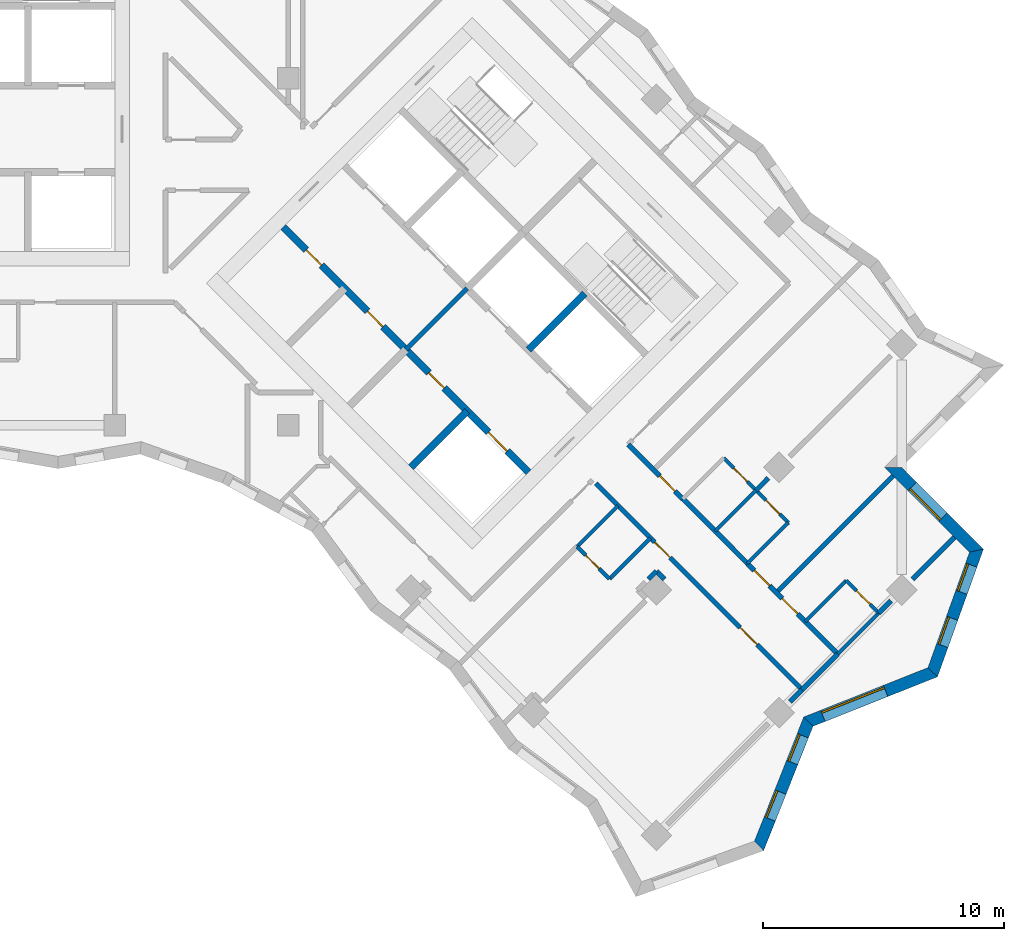
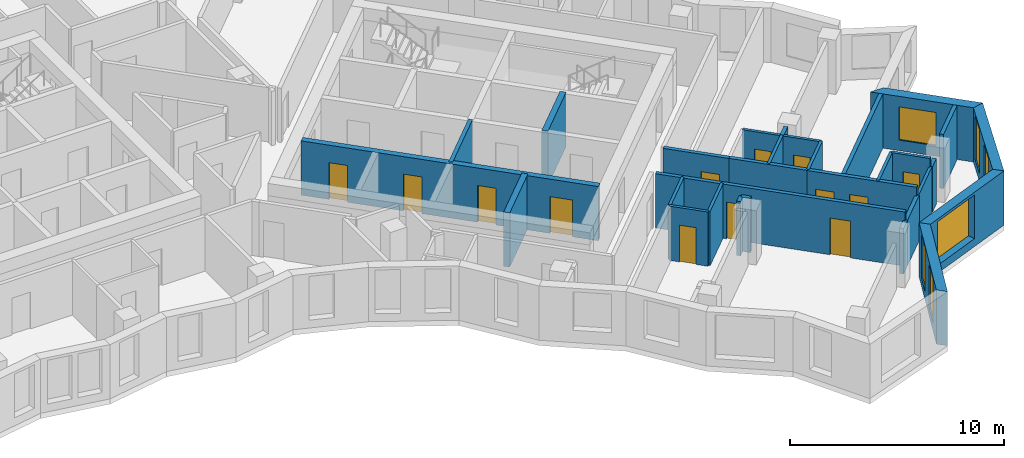
# One storey, part 8 of 12: 29 walls, 13 doors, 6 windows, 19 openings.
"""IFC4 building model written with IfcOpenShell, lengths in metres."""

from ifc_helpers import new_model, si_unit, direction, frame, frame_2d, origin, place, context, subcontext, project, spatial, polyline, rectangle, outline, extrude, material, layer, layer_set, type_object, element, fill, save


model = new_model("IFC4")

# Units and contexts
model_context = context("Model", 3, precision=1e-05, world=origin(), true_north=direction((0.0, 1.0)))
body_context = subcontext(model_context, "Body", "Model", "MODEL_VIEW")
ifc_project = project(units=[si_unit("LENGTHUNIT", "METRE"), si_unit("AREAUNIT", "SQUARE_METRE"), si_unit("VOLUMEUNIT", "CUBIC_METRE"), si_unit("PLANEANGLEUNIT", "RADIAN"), si_unit("MASSUNIT", "GRAM", prefix="KILO")], contexts=[model_context])

# Site, building, storey
site_placement = place(None, origin())
site = spatial("IfcSite", under=ifc_project, at=site_placement, CompositionType="ELEMENT")
building_placement = place(site_placement, origin())
building = spatial("IfcBuilding", under=site, at=building_placement, Name="Windrow Commons", CompositionType="ELEMENT")
storey_placement = place(building_placement, frame((0.0, 0.0, 169.4)))
storey = spatial("IfcBuildingStorey", under=building, at=storey_placement, Name="L46", CompositionType="ELEMENT", Elevation=169.4)

# Wall, openings, windows
ifc_material_1 = material(Name="Brick masonry, red clay brick", Category="masonry")
ifc_layer_1 = layer(ifc_material_1, 0.5)
ifc_layer_set_1 = layer_set([ifc_layer_1], Name="Brick facade wall 500")
wall_type_1 = type_object("IfcWallType", Name="Brick facade wall 500", PredefinedType="SOLIDWALL", material=ifc_layer_set_1)
wall_1_placement = place(storey_placement, frame((98.736, 25.7385, 0.0), z_axis=(0.0, 0.0, 1.0), x_axis=(0.3692368727, 0.9293353172, 0.0)))
wall_1 = element("IfcWall", 1, at=wall_1_placement, inside=storey, type_object=wall_type_1, Name="Brick facade wall L46 2", PredefinedType="SOLIDWALL", context=body_context, shape_type="SweptSolid", body=[
    extrude(outline(polyline([(-0.1127, -0.25), (5.4423, -0.25), (5.6579, 0.25), (0.1127, 0.25), (-0.1127, -0.25)])), origin(), (0.0, 0.0, 1.0), 3.1),
])
opening_1_placement = place(wall_1_placement, frame((1.2035, 0.0, 0.45)))
opening_1 = element("IfcOpeningElement", 2, at=opening_1_placement, cuts=wall_1, Name="Opening W7E", PredefinedType="OPENING", context=body_context, shape_type="SweptSolid", body=[
    extrude(rectangle(XDim=1.2, YDim=2.5, at=frame_2d((0.6, 1.25))), frame((0.0, 0.26, 0.0), z_axis=(0.0, -1.0, 0.0), x_axis=(1.0, 0.0, 0.0)), (0.0, 0.0, 1.0), 0.52),
])
opening_2_placement = place(wall_1_placement, frame((3.7222, 0.0, 0.45)))
opening_2 = element("IfcOpeningElement", 3, at=opening_2_placement, cuts=wall_1, Name="Opening W7E", PredefinedType="OPENING", context=body_context, shape_type="SweptSolid", body=[
    extrude(rectangle(XDim=1.2, YDim=2.5, at=frame_2d((0.6, 1.25))), frame((0.0, 0.26, 0.0), z_axis=(0.0, -1.0, 0.0), x_axis=(1.0, 0.0, 0.0)), (0.0, 0.0, 1.0), 0.52),
])
ifc_material_2 = material(Name="Clear float glass in anodised aluminium frame", Category="aluminium")
window_type_1 = type_object("IfcWindowType", Name="Window W7 notch 1200x2500", PartitioningType="SINGLE_PANEL", PredefinedType="WINDOW", material=ifc_material_2)
window_1_placement = place(opening_1_placement, origin())
window_1 = element("IfcWindow", 4, at=window_1_placement, inside=storey, type_object=window_type_1, Name="Window L46 2.1", OverallHeight=2.5, OverallWidth=1.2, PartitioningType="SINGLE_PANEL", PredefinedType="WINDOW", context=body_context, shape_type="SweptSolid", body=[
    extrude(rectangle(XDim=1.2, YDim=2.5, at=frame_2d((0.6, 1.25))), frame((0.0, 0.18, 0.0), z_axis=(0.0, -1.0, 0.0), x_axis=(1.0, 0.0, 0.0)), (0.0, 0.0, 1.0), 0.06),
])
fill(opening_1, window_1)
window_2_placement = place(opening_2_placement, origin())
window_2 = element("IfcWindow", 5, at=window_2_placement, inside=storey, type_object=window_type_1, Name="Window L46 2.2", OverallHeight=2.5, OverallWidth=1.2, PartitioningType="SINGLE_PANEL", PredefinedType="WINDOW", context=body_context, shape_type="SweptSolid", body=[
    extrude(rectangle(XDim=1.2, YDim=2.5, at=frame_2d((0.6, 1.25))), frame((0.0, 0.18, 0.0), z_axis=(0.0, -1.0, 0.0), x_axis=(1.0, 0.0, 0.0)), (0.0, 0.0, 1.0), 0.06),
])
fill(opening_2, window_2)

# Wall, opening, window
wall_2_placement = place(storey_placement, frame((100.7853, 30.8964, 0.0), z_axis=(0.0, 0.0, 1.0), x_axis=(0.9293291345, 0.3692524338, 0.0)))
wall_2 = element("IfcWall", 6, at=wall_2_placement, inside=storey, type_object=wall_type_1, Name="Brick facade wall L46 3", PredefinedType="SOLIDWALL", context=body_context, shape_type="SweptSolid", body=[
    extrude(outline(polyline([(0.1078, -0.25), (5.6628, -0.25), (5.4374, 0.25), (-0.1078, 0.25), (0.1078, -0.25)])), origin(), (0.0, 0.0, 1.0), 3.1),
])
opening_3_placement = place(wall_2_placement, frame((0.6448, 0.0, 0.45)))
opening_3 = element("IfcOpeningElement", 7, at=opening_3_placement, cuts=wall_2, Name="Opening W1U", PredefinedType="OPENING", context=body_context, shape_type="SweptSolid", body=[
    extrude(rectangle(XDim=2.8, YDim=2.5, at=frame_2d((1.4, 1.25))), frame((0.0, 0.26, 0.0), z_axis=(0.0, -1.0, 0.0), x_axis=(1.0, 0.0, 0.0)), (0.0, 0.0, 1.0), 0.52),
])
ifc_material_3 = material(Name="Clear float glass in anodised aluminium frame", Category="aluminium")
window_type_2 = type_object("IfcWindowType", Name="Window W1U bedroom 2800x2500", PartitioningType="SINGLE_PANEL", PredefinedType="WINDOW", material=ifc_material_3)
window_3_placement = place(opening_3_placement, origin())
window_3 = element("IfcWindow", 8, at=window_3_placement, inside=storey, type_object=window_type_2, Name="Window L46 3.1", OverallHeight=2.5, OverallWidth=2.8, PartitioningType="SINGLE_PANEL", PredefinedType="WINDOW", context=body_context, shape_type="SweptSolid", body=[
    extrude(rectangle(XDim=2.8, YDim=2.5, at=frame_2d((1.4, 1.25))), frame((0.0, 0.18, 0.0), z_axis=(0.0, -1.0, 0.0), x_axis=(1.0, 0.0, 0.0)), (0.0, 0.0, 1.0), 0.06),
])
fill(opening_3, window_3)

# Wall, openings, windows
wall_3_placement = place(storey_placement, frame((105.9432, 32.9458, 0.0), z_axis=(0.0, 0.0, 1.0), x_axis=(0.3387755622, 0.9408672162, 0.0)))
wall_3 = element("IfcWall", 9, at=wall_3_placement, inside=storey, type_object=wall_type_1, Name="Brick facade wall L46 4", PredefinedType="SOLIDWALL", context=body_context, shape_type="SweptSolid", body=[
    extrude(outline(polyline([(-0.1127, -0.25), (5.5245, -0.25), (5.2072, 0.25), (0.1127, 0.25), (-0.1127, -0.25)])), origin(), (0.0, 0.0, 1.0), 3.1),
])
opening_4_placement = place(wall_3_placement, frame((1.1794, 0.0, 0.45)))
opening_4 = element("IfcOpeningElement", 10, at=opening_4_placement, cuts=wall_3, Name="Opening W7E", PredefinedType="OPENING", context=body_context, shape_type="SweptSolid", body=[
    extrude(rectangle(XDim=1.2, YDim=2.5, at=frame_2d((0.6, 1.25))), frame((0.0, 0.26, 0.0), z_axis=(0.0, -1.0, 0.0), x_axis=(1.0, 0.0, 0.0)), (0.0, 0.0, 1.0), 0.52),
])
opening_5_placement = place(wall_3_placement, frame((3.5267, 0.0, 0.45)))
opening_5 = element("IfcOpeningElement", 11, at=opening_5_placement, cuts=wall_3, Name="Opening W7E", PredefinedType="OPENING", context=body_context, shape_type="SweptSolid", body=[
    extrude(rectangle(XDim=1.2, YDim=2.5, at=frame_2d((0.6, 1.25))), frame((0.0, 0.26, 0.0), z_axis=(0.0, -1.0, 0.0), x_axis=(1.0, 0.0, 0.0)), (0.0, 0.0, 1.0), 0.52),
])
window_4_placement = place(opening_4_placement, origin())
window_4 = element("IfcWindow", 12, at=window_4_placement, inside=storey, type_object=window_type_1, Name="Window L46 4.1", OverallHeight=2.5, OverallWidth=1.2, PartitioningType="SINGLE_PANEL", PredefinedType="WINDOW", context=body_context, shape_type="SweptSolid", body=[
    extrude(rectangle(XDim=1.2, YDim=2.5, at=frame_2d((0.6, 1.25))), frame((0.0, 0.18, 0.0), z_axis=(0.0, -1.0, 0.0), x_axis=(1.0, 0.0, 0.0)), (0.0, 0.0, 1.0), 0.06),
])
fill(opening_4, window_4)
window_5_placement = place(opening_5_placement, origin())
window_5 = element("IfcWindow", 13, at=window_5_placement, inside=storey, type_object=window_type_1, Name="Window L46 4.2", OverallHeight=2.5, OverallWidth=1.2, PartitioningType="SINGLE_PANEL", PredefinedType="WINDOW", context=body_context, shape_type="SweptSolid", body=[
    extrude(rectangle(XDim=1.2, YDim=2.5, at=frame_2d((0.6, 1.25))), frame((0.0, 0.18, 0.0), z_axis=(0.0, -1.0, 0.0), x_axis=(1.0, 0.0, 0.0)), (0.0, 0.0, 1.0), 0.06),
])
fill(opening_5, window_5)

# Wall, opening, window
wall_4_placement = place(storey_placement, frame((107.761, 37.9943, 0.0), z_axis=(0.0, 0.0, 1.0), x_axis=(-0.7071170031, 0.7070965591, 0.0)))
wall_4 = element("IfcWall", 14, at=wall_4_placement, inside=storey, type_object=wall_type_1, Name="Brick facade wall L46 5", PredefinedType="SOLIDWALL", context=body_context, shape_type="SweptSolid", body=[
    extrude(outline(polyline([(-0.1587, -0.25), (4.6414, -0.25), (5.1414, 0.25), (0.1587, 0.25), (-0.1587, -0.25)])), origin(), (0.0, 0.0, 1.0), 3.1),
])
opening_6_placement = place(wall_4_placement, frame((1.9664, 0.0, 0.6)))
opening_6 = element("IfcOpeningElement", 15, at=opening_6_placement, cuts=wall_4, Name="Opening W1L", PredefinedType="OPENING", context=body_context, shape_type="SweptSolid", body=[
    extrude(rectangle(XDim=1.8, YDim=1.9, at=frame_2d((0.9, 0.95))), frame((0.0, 0.26, 0.0), z_axis=(0.0, -1.0, 0.0), x_axis=(1.0, 0.0, 0.0)), (0.0, 0.0, 1.0), 0.52),
])
ifc_material_4 = material(Name="Clear float glass in anodised aluminium frame", Category="aluminium")
window_type_3 = type_object("IfcWindowType", Name="Window W1L bedroom 1800x1900", PartitioningType="SINGLE_PANEL", PredefinedType="WINDOW", material=ifc_material_4)
window_6_placement = place(opening_6_placement, origin())
window_6 = element("IfcWindow", 16, at=window_6_placement, inside=storey, type_object=window_type_3, Name="Window L46 5.1", OverallHeight=1.9, OverallWidth=1.8, PartitioningType="SINGLE_PANEL", PredefinedType="WINDOW", context=body_context, shape_type="SweptSolid", body=[
    extrude(rectangle(XDim=1.8, YDim=1.9, at=frame_2d((0.9, 0.95))), frame((0.0, 0.18, 0.0), z_axis=(0.0, -1.0, 0.0), x_axis=(1.0, 0.0, 0.0)), (0.0, 0.0, 1.0), 0.06),
])
fill(opening_6, window_6)

# Wall
ifc_material_5 = material(Name="Blockwork partition", Category="masonry")
ifc_layer_2 = layer(ifc_material_5, 0.2)
ifc_layer_set_2 = layer_set([ifc_layer_2], Name="Fire lobby partition 200")
wall_type_2 = type_object("IfcWallType", Name="Fire lobby partition 200", PredefinedType="PARTITIONING", material=ifc_layer_set_2)
wall_5_placement = place(storey_placement, frame((84.079, 46.332, 0.0), z_axis=(0.0, 0.0, 1.0), x_axis=(0.7071067812, 0.7071067812, 0.0)))
element("IfcWall", 17, at=wall_5_placement, inside=storey, type_object=wall_type_2, Name="W-core-lobby-B-L46", PredefinedType="PARTITIONING", context=body_context, shape_type="SweptSolid", body=[
    extrude(rectangle(XDim=3.6, YDim=0.2, at=frame_2d((1.8, 0.0))), origin(), (0.0, 0.0, 1.0), 3.1),
])

# Wall, openings, doors
ifc_material_6 = material(Name="Blockwork partition", Category="masonry")
ifc_layer_3 = layer(ifc_material_6, 0.2)
ifc_layer_set_3 = layer_set([ifc_layer_3], Name="IW-CORRIDOR-200")
wall_type_3 = type_object("IfcWallType", Name="IW-CORRIDOR-200", PredefinedType="PARTITIONING", material=ifc_layer_set_3)
wall_6_placement = place(storey_placement, frame((91.9671, 40.7851, 0.0), z_axis=(0.0, 0.0, 1.0), x_axis=(0.7071067812, -0.7071067812, 0.0)))
wall_6 = element("IfcWall", 18, at=wall_6_placement, inside=storey, type_object=wall_type_3, Name="W-L46-W006", PredefinedType="PARTITIONING", context=body_context, shape_type="SweptSolid", body=[
    extrude(rectangle(XDim=12.1, YDim=0.2, at=frame_2d((6.05, 0.0))), origin(), (0.0, 0.0, 1.0), 3.1),
])
opening_7_placement = place(wall_6_placement, frame((3.4484, 0.0, 0.0)))
opening_7 = element("IfcOpeningElement", 19, at=opening_7_placement, cuts=wall_6, Name="Opening D109S", PredefinedType="OPENING", context=body_context, shape_type="SweptSolid", body=[
    extrude(rectangle(XDim=0.9, YDim=2.1, at=frame_2d((0.45, 1.05))), frame((0.0, 0.11, 0.0), z_axis=(0.0, -1.0, 0.0), x_axis=(1.0, 0.0, 0.0)), (0.0, 0.0, 1.0), 0.22),
])
opening_8_placement = place(wall_6_placement, frame((8.4575, 0.0, 0.0)))
opening_8 = element("IfcOpeningElement", 20, at=opening_8_placement, cuts=wall_6, Name="Opening D310F", PredefinedType="OPENING", context=body_context, shape_type="SweptSolid", body=[
    extrude(rectangle(XDim=1.0, YDim=2.1, at=frame_2d((0.5, 1.05))), frame((0.0, 0.11, 0.0), z_axis=(0.0, -1.0, 0.0), x_axis=(1.0, 0.0, 0.0)), (0.0, 0.0, 1.0), 0.22),
])
ifc_material_7 = material(Name="Timber door leaf", Category="wood")
door_type_1 = type_object("IfcDoorType", Name="DT-AMENITY-1000", OperationType="SINGLE_SWING_LEFT", PredefinedType="DOOR", material=ifc_material_7)
door_1_placement = place(opening_8_placement, origin())
door_1 = element("IfcDoor", 21, at=door_1_placement, inside=storey, type_object=door_type_1, Name="D-L46-D054", OperationType="SINGLE_SWING_RIGHT", OverallHeight=2.1, OverallWidth=1.0, PredefinedType="DOOR", context=body_context, shape_type="SweptSolid", body=[
    extrude(rectangle(XDim=1.0, YDim=2.1, at=frame_2d((0.5, 1.05))), frame((0.0, 0.025, 0.0), z_axis=(0.0, -1.0, 0.0), x_axis=(1.0, 0.0, 0.0)), (0.0, 0.0, 1.0), 0.05),
])
fill(opening_8, door_1)
ifc_material_8 = material(Name="Timber door leaf", Category="wood")
door_type_2 = type_object("IfcDoorType", Name="DT-BEDROOM-900", OperationType="SINGLE_SWING_LEFT", PredefinedType="DOOR", material=ifc_material_8)
door_2_placement = place(opening_7_placement, origin())
door_2 = element("IfcDoor", 22, at=door_2_placement, inside=storey, type_object=door_type_2, Name="D-L46-D052", OperationType="SINGLE_SWING_LEFT", OverallHeight=2.1, OverallWidth=0.9, PredefinedType="DOOR", context=body_context, shape_type="SweptSolid", body=[
    extrude(rectangle(XDim=0.9, YDim=2.1, at=frame_2d((0.45, 1.05))), frame((0.0, 0.025, 0.0), z_axis=(0.0, -1.0, 0.0), x_axis=(1.0, 0.0, 0.0)), (0.0, 0.0, 1.0), 0.05),
])
fill(opening_7, door_2)

wall_7_placement = place(storey_placement, frame((98.253, 37.455, 0.0), z_axis=(0.0, 0.0, 1.0), x_axis=(0.7071067812, -0.7071067812, 0.0)))
wall_7 = element("IfcWall", 23, at=wall_7_placement, inside=storey, type_object=wall_type_3, Name="W-L46-W034", PredefinedType="PARTITIONING", context=body_context, shape_type="SweptSolid", body=[
    extrude(rectangle(XDim=5.3005, YDim=0.2, at=frame_2d((2.6503, 0.0))), origin(), (0.0, 0.0, 1.0), 3.1),
])
opening_9_placement = place(wall_7_placement, frame((0.4005, 0.0, 0.0)))
opening_9 = element("IfcOpeningElement", 24, at=opening_9_placement, cuts=wall_7, Name="Opening D109S", PredefinedType="OPENING", context=body_context, shape_type="SweptSolid", body=[
    extrude(rectangle(XDim=0.9, YDim=2.1, at=frame_2d((0.45, 1.05))), frame((0.0, 0.11, 0.0), z_axis=(0.0, -1.0, 0.0), x_axis=(1.0, 0.0, 0.0)), (0.0, 0.0, 1.0), 0.22),
])
opening_10_placement = place(wall_7_placement, frame((2.0505, 0.0, 0.0)))
opening_10 = element("IfcOpeningElement", 25, at=opening_10_placement, cuts=wall_7, Name="Opening D109S", PredefinedType="OPENING", context=body_context, shape_type="SweptSolid", body=[
    extrude(rectangle(XDim=0.9, YDim=2.1, at=frame_2d((0.45, 1.05))), frame((0.0, 0.11, 0.0), z_axis=(0.0, -1.0, 0.0), x_axis=(1.0, 0.0, 0.0)), (0.0, 0.0, 1.0), 0.22),
])
door_3_placement = place(opening_9_placement, origin())
door_3 = element("IfcDoor", 26, at=door_3_placement, inside=storey, type_object=door_type_2, Name="D-L46-D045", OperationType="SINGLE_SWING_LEFT", OverallHeight=2.1, OverallWidth=0.9, PredefinedType="DOOR", context=body_context, shape_type="SweptSolid", body=[
    extrude(rectangle(XDim=0.9, YDim=2.1, at=frame_2d((0.45, 1.05))), frame((0.0, 0.025, 0.0), z_axis=(0.0, -1.0, 0.0), x_axis=(1.0, 0.0, 0.0)), (0.0, 0.0, 1.0), 0.05),
])
fill(opening_9, door_3)
door_4_placement = place(opening_10_placement, origin())
door_4 = element("IfcDoor", 27, at=door_4_placement, inside=storey, type_object=door_type_2, Name="D-L46-D055", OperationType="SINGLE_SWING_RIGHT", OverallHeight=2.1, OverallWidth=0.9, PredefinedType="DOOR", context=body_context, shape_type="SweptSolid", body=[
    extrude(rectangle(XDim=0.9, YDim=2.1, at=frame_2d((0.45, 1.05))), frame((0.0, 0.025, 0.0), z_axis=(0.0, -1.0, 0.0), x_axis=(1.0, 0.0, 0.0)), (0.0, 0.0, 1.0), 0.05),
])
fill(opening_10, door_4)

# Wall
wall_8_placement = place(storey_placement, frame((95.5735, 40.1475, 0.0), z_axis=(0.0, 0.0, 1.0), x_axis=(0.7068698107, -0.7073436723, 0.0)))
element("IfcWall", 28, at=wall_8_placement, inside=storey, type_object=wall_type_3, Name="W-L46-W053", PredefinedType="PARTITIONING", context=body_context, shape_type="SweptSolid", body=[
    extrude(rectangle(XDim=3.7986, YDim=0.2, at=frame_2d((1.8993, 0.0))), origin(), (0.0, 0.0, 1.0), 3.1),
])

# Wall, opening, door
wall_9_placement = place(storey_placement, frame((93.305, 42.403, 0.0), z_axis=(0.0, 0.0, 1.0), x_axis=(0.7071067812, -0.7071067812, 0.0)))
wall_9 = element("IfcWall", 29, at=wall_9_placement, inside=storey, type_object=wall_type_3, Name="W-L46-W058", PredefinedType="PARTITIONING", context=body_context, shape_type="SweptSolid", body=[
    extrude(rectangle(XDim=3.199, YDim=0.2, at=frame_2d((1.5995, 0.0))), origin(), (0.0, 0.0, 1.0), 3.1),
])
opening_11_placement = place(wall_9_placement, frame((1.848, 0.0, 0.0)))
opening_11 = element("IfcOpeningElement", 30, at=opening_11_placement, cuts=wall_9, Name="Opening D109S", PredefinedType="OPENING", context=body_context, shape_type="SweptSolid", body=[
    extrude(rectangle(XDim=0.9, YDim=2.1, at=frame_2d((0.45, 1.05))), frame((0.0, 0.11, 0.0), z_axis=(0.0, -1.0, 0.0), x_axis=(1.0, 0.0, 0.0)), (0.0, 0.0, 1.0), 0.22),
])
door_5_placement = place(opening_11_placement, origin())
door_5 = element("IfcDoor", 31, at=door_5_placement, inside=storey, type_object=door_type_2, Name="D-L46-D043", OperationType="SINGLE_SWING_RIGHT", OverallHeight=2.1, OverallWidth=0.9, PredefinedType="DOOR", context=body_context, shape_type="SweptSolid", body=[
    extrude(rectangle(XDim=0.9, YDim=2.1, at=frame_2d((0.45, 1.05))), frame((0.0, 0.025, 0.0), z_axis=(0.0, -1.0, 0.0), x_axis=(1.0, 0.0, 0.0)), (0.0, 0.0, 1.0), 0.05),
])
fill(opening_11, door_5)

# Wall
wall_10_placement = place(storey_placement, frame((100.5192, 32.2268, 0.0), z_axis=(0.0, 0.0, 1.0), x_axis=(0.7071067812, 0.7071067812, 0.0)))
element("IfcWall", 32, at=wall_10_placement, inside=storey, type_object=wall_type_3, Name="W-L46-W113", PredefinedType="PARTITIONING", context=body_context, shape_type="SweptSolid", body=[
    extrude(rectangle(XDim=2.0987, YDim=0.2, at=frame_2d((1.0494, 0.0))), origin(), (0.0, 0.0, 1.0), 2.6),
])

# Wall, openings, doors
ifc_material_9 = material(Name="Blockwork partition", Category="masonry")
ifc_layer_4 = layer(ifc_material_9, 0.15)
ifc_layer_set_4 = layer_set([ifc_layer_4], Name="IW-ENSUITE-150")
wall_type_4 = type_object("IfcWallType", Name="IW-ENSUITE-150", PredefinedType="PARTITIONING", material=ifc_layer_set_4)
wall_11_placement = place(storey_placement, frame((97.263, 41.839, 0.0), z_axis=(0.0, 0.0, 1.0), x_axis=(0.7071067812, -0.7071067812, 0.0)))
wall_11 = element("IfcWall", 33, at=wall_11_placement, inside=storey, type_object=wall_type_4, Name="W-L46-W050", PredefinedType="PARTITIONING", context=body_context, shape_type="SweptSolid", body=[
    extrude(rectangle(XDim=3.8014, YDim=0.15, at=frame_2d((1.9007, 0.0))), origin(), (0.0, 0.0, 1.0), 3.1),
])
opening_12_placement = place(wall_11_placement, frame((0.5984, 0.0, 0.0)))
opening_12 = element("IfcOpeningElement", 34, at=opening_12_placement, cuts=wall_11, Name="Opening D208N", PredefinedType="OPENING", context=body_context, shape_type="SweptSolid", body=[
    extrude(rectangle(XDim=0.8, YDim=2.1, at=frame_2d((0.4, 1.05))), frame((0.0, 0.085, 0.0), z_axis=(0.0, -1.0, 0.0), x_axis=(1.0, 0.0, 0.0)), (0.0, 0.0, 1.0), 0.17),
])
opening_13_placement = place(wall_11_placement, frame((2.4929, 0.0, 0.0)))
opening_13 = element("IfcOpeningElement", 35, at=opening_13_placement, cuts=wall_11, Name="Opening D208N", PredefinedType="OPENING", context=body_context, shape_type="SweptSolid", body=[
    extrude(rectangle(XDim=0.8, YDim=2.1, at=frame_2d((0.4, 1.05))), frame((0.0, 0.085, 0.0), z_axis=(0.0, -1.0, 0.0), x_axis=(1.0, 0.0, 0.0)), (0.0, 0.0, 1.0), 0.17),
])
ifc_material_10 = material(Name="Timber door leaf", Category="wood")
door_type_3 = type_object("IfcDoorType", Name="DT-ENSUITE-800", OperationType="SINGLE_SWING_LEFT", PredefinedType="DOOR", material=ifc_material_10)
door_6_placement = place(opening_12_placement, origin())
door_6 = element("IfcDoor", 36, at=door_6_placement, inside=storey, type_object=door_type_3, Name="D-L46-D044", OperationType="SINGLE_SWING_RIGHT", OverallHeight=2.1, OverallWidth=0.8, PredefinedType="DOOR", context=body_context, shape_type="SweptSolid", body=[
    extrude(rectangle(XDim=0.8, YDim=2.1, at=frame_2d((0.4, 1.05))), frame((0.0, 0.025, 0.0), z_axis=(0.0, -1.0, 0.0), x_axis=(1.0, 0.0, 0.0)), (0.0, 0.0, 1.0), 0.05),
])
fill(opening_12, door_6)
door_7_placement = place(opening_13_placement, origin())
door_7 = element("IfcDoor", 37, at=door_7_placement, inside=storey, type_object=door_type_3, Name="D-L46-D046", OperationType="SINGLE_SWING_RIGHT", OverallHeight=2.1, OverallWidth=0.8, PredefinedType="DOOR", context=body_context, shape_type="SweptSolid", body=[
    extrude(rectangle(XDim=0.8, YDim=2.1, at=frame_2d((0.4, 1.05))), frame((0.0, 0.025, 0.0), z_axis=(0.0, -1.0, 0.0), x_axis=(1.0, 0.0, 0.0)), (0.0, 0.0, 1.0), 0.05),
])
fill(opening_13, door_7)

# Walls
wall_12_placement = place(storey_placement, frame((102.0032, 33.7108, 0.0), z_axis=(0.0, 0.0, 1.0), x_axis=(0.7071067812, 0.7071067812, 0.0)))
element("IfcWall", 38, at=wall_12_placement, inside=storey, type_object=wall_type_4, Name="W-L46-W070", PredefinedType="PARTITIONING", context=body_context, shape_type="SweptSolid", body=[
    extrude(rectangle(XDim=2.4013, YDim=0.15, at=frame_2d((1.2006, 0.0))), origin(), (0.0, 0.0, 1.0), 2.6),
])
for number, where, z_axis, x_axis, name in (
    (39, (98.2531, 37.4609, 0.0), (0.0, 0.0, 1.0), (0.7075233388, 0.706689978, 0.0), "W-L46-W094"),
    (40, (100.6573, 35.0568, 0.0), (0.0, 0.0, 1.0), (0.7075233388, 0.706689978, 0.0), "W-L46-W095"),
    (41, (91.1888, 38.1612, 0.0), (0.0, 0.0, 1.0), (0.706689978, 0.7075233388, 0.0), "W-L46-W096"),
    (42, (92.5307, 36.8193, 0.0), (0.0, 0.0, 1.0), (0.7075233388, 0.706689978, 0.0), "W-L46-W097"),
):
    element("IfcWall", number, at=place(storey_placement, frame(where, z_axis=z_axis, x_axis=x_axis)), inside=storey, type_object=wall_type_4, Name=name, PredefinedType="PARTITIONING", context=body_context, shape_type="SweptSolid", body=[
        extrude(rectangle(XDim=2.3999, YDim=0.15, at=frame_2d((1.2, 0.0))), origin(), (0.0, 0.0, 1.0), 3.1),
    ])
wall_13_placement = place(storey_placement, frame((96.913, 38.803, 0.0), z_axis=(0.0, 0.0, 1.0), x_axis=(0.7071067812, 0.7071067812, 0.0)))
element("IfcWall", 43, at=wall_13_placement, inside=storey, type_object=wall_type_4, Name="W-L46-W098", PredefinedType="PARTITIONING", context=body_context, shape_type="SweptSolid", body=[
    extrude(rectangle(XDim=2.3985, YDim=0.15, at=frame_2d((1.1992, 0.0))), origin(), (0.0, 0.0, 1.0), 3.1),
])

# Wall, opening, door
wall_14_placement = place(storey_placement, frame((102.3583, 36.7503, 0.0), z_axis=(0.0, 0.0, 1.0), x_axis=(0.7076330979, -0.7065800724, 0.0)))
wall_14 = element("IfcWall", 44, at=wall_14_placement, inside=storey, type_object=wall_type_4, Name="W-L46-W125", PredefinedType="PARTITIONING", context=body_context, shape_type="SweptSolid", body=[
    extrude(rectangle(XDim=1.8993, YDim=0.15, at=frame_2d((0.9496, 0.0))), origin(), (0.0, 0.0, 1.0), 3.1),
])
opening_14_placement = place(wall_14_placement, frame((0.5972, 0.0, 0.0)))
opening_14 = element("IfcOpeningElement", 45, at=opening_14_placement, cuts=wall_14, Name="Opening D208N", PredefinedType="OPENING", context=body_context, shape_type="SweptSolid", body=[
    extrude(rectangle(XDim=0.8, YDim=2.1, at=frame_2d((0.4, 1.05))), frame((0.0, 0.085, 0.0), z_axis=(0.0, -1.0, 0.0), x_axis=(1.0, 0.0, 0.0)), (0.0, 0.0, 1.0), 0.17),
])
door_8_placement = place(opening_14_placement, origin())
door_8 = element("IfcDoor", 46, at=door_8_placement, inside=storey, type_object=door_type_3, Name="D-L46-D056", OperationType="SINGLE_SWING_RIGHT", OverallHeight=2.1, OverallWidth=0.8, PredefinedType="DOOR", context=body_context, shape_type="SweptSolid", body=[
    extrude(rectangle(XDim=0.8, YDim=2.1, at=frame_2d((0.4, 1.05))), frame((0.0, 0.025, 0.0), z_axis=(0.0, -1.0, 0.0), x_axis=(1.0, 0.0, 0.0)), (0.0, 0.0, 1.0), 0.05),
])
fill(opening_14, door_8)

wall_15_placement = place(storey_placement, frame((91.183, 38.161, 0.0), z_axis=(0.0, 0.0, 1.0), x_axis=(0.7071067812, -0.7071067812, 0.0)))
wall_15 = element("IfcWall", 47, at=wall_15_placement, inside=storey, type_object=wall_type_4, Name="W-L46-W126", PredefinedType="PARTITIONING", context=body_context, shape_type="SweptSolid", body=[
    extrude(rectangle(XDim=1.8979, YDim=0.15, at=frame_2d((0.9489, 0.0))), origin(), (0.0, 0.0, 1.0), 3.1),
])
opening_15_placement = place(wall_15_placement, frame((0.501, 0.0, 0.0)))
opening_15 = element("IfcOpeningElement", 48, at=opening_15_placement, cuts=wall_15, Name="Opening D208N", PredefinedType="OPENING", context=body_context, shape_type="SweptSolid", body=[
    extrude(rectangle(XDim=0.8, YDim=2.1, at=frame_2d((0.4, 1.05))), frame((0.0, 0.085, 0.0), z_axis=(0.0, -1.0, 0.0), x_axis=(1.0, 0.0, 0.0)), (0.0, 0.0, 1.0), 0.17),
])
door_9_placement = place(opening_15_placement, origin())
door_9 = element("IfcDoor", 49, at=door_9_placement, inside=storey, type_object=door_type_3, Name="D-L46-D053", OperationType="SINGLE_SWING_RIGHT", OverallHeight=2.1, OverallWidth=0.8, PredefinedType="DOOR", context=body_context, shape_type="SweptSolid", body=[
    extrude(rectangle(XDim=0.8, YDim=2.1, at=frame_2d((0.4, 1.05))), frame((0.0, 0.025, 0.0), z_axis=(0.0, -1.0, 0.0), x_axis=(1.0, 0.0, 0.0)), (0.0, 0.0, 1.0), 0.05),
])
fill(opening_15, door_9)

# Walls
ifc_material_11 = material(Name="Blockwork partition", Category="masonry")
ifc_layer_5 = layer(ifc_material_11, 0.2)
ifc_layer_set_5 = layer_set([ifc_layer_5], Name="IW-PARTY-200")
wall_type_5 = type_object("IfcWallType", Name="IW-PARTY-200", PredefinedType="PARTITIONING", material=ifc_layer_set_5)
wall_16_placement = place(storey_placement, frame((99.4576, 36.2564, 0.0), z_axis=(0.0, 0.0, 1.0), x_axis=(0.7071067812, 0.7071067812, 0.0)))
element("IfcWall", 50, at=wall_16_placement, inside=storey, type_object=wall_type_5, Name="W-L46-W020", PredefinedType="PARTITIONING", context=body_context, shape_type="SweptSolid", body=[
    extrude(rectangle(XDim=6.8502, YDim=0.2, at=frame_2d((3.4251, 0.0))), origin(), (0.0, 0.0, 1.0), 3.1),
])
wall_17_placement = place(storey_placement, frame((105.1052, 36.8128, 0.0), z_axis=(0.0, 0.0, 1.0), x_axis=(0.7071067812, 0.7071067812, 0.0)))
element("IfcWall", 51, at=wall_17_placement, inside=storey, type_object=wall_type_5, Name="W-L46-W069", PredefinedType="PARTITIONING", context=body_context, shape_type="SweptSolid", body=[
    extrude(rectangle(XDim=2.4634, YDim=0.2, at=frame_2d((1.2317, 0.0))), origin(), (0.0, 0.0, 1.0), 3.1),
])
wall_18_placement = place(storey_placement, frame((100.0132, 31.7208, 0.0), z_axis=(0.0, 0.0, 1.0), x_axis=(0.7071067812, 0.7071067812, 0.0)))
element("IfcWall", 52, at=wall_18_placement, inside=storey, type_object=wall_type_5, Name="W-L46-W144", PredefinedType="PARTITIONING", context=body_context, shape_type="SweptSolid", body=[
    extrude(rectangle(XDim=0.7156, YDim=0.2, at=frame_2d((0.3578, 0.0))), origin(), (0.0, 0.0, 1.0), 2.6),
])
wall_19_placement = place(storey_placement, frame((98.6128, 40.4952, 0.0), z_axis=(0.0, 0.0, 1.0), x_axis=(0.7057051861, 0.7085056035, 0.0)))
element("IfcWall", 53, at=wall_19_placement, inside=storey, type_object=wall_type_5, Name="W-L46-W145", PredefinedType="PARTITIONING", context=body_context, shape_type="SweptSolid", body=[
    extrude(rectangle(XDim=0.7142, YDim=0.2, at=frame_2d((0.3571, 0.0))), origin(), (0.0, 0.0, 1.0), 3.1),
])
wall_20_placement = place(storey_placement, frame((103.7012, 35.4088, 0.0), z_axis=(0.0, 0.0, 1.0), x_axis=(0.7071067812, 0.7071067812, 0.0)))
element("IfcWall", 54, at=wall_20_placement, inside=storey, type_object=wall_type_5, Name="W-L46-W146", PredefinedType="PARTITIONING", context=body_context, shape_type="SweptSolid", body=[
    extrude(rectangle(XDim=0.7128, YDim=0.2, at=frame_2d((0.3564, 0.0))), origin(), (0.0, 0.0, 1.0), 2.6),
])
wall_21_placement = place(storey_placement, frame((94.1451, 36.8129, 0.0), z_axis=(0.0, 0.0, 1.0), x_axis=(0.7071067812, 0.7071067812, 0.0)))
element("IfcWall", 55, at=wall_21_placement, inside=storey, type_object=wall_type_5, Name="W-L46-W155", PredefinedType="PARTITIONING", context=body_context, shape_type="SweptSolid", body=[
    extrude(rectangle(XDim=0.4695, YDim=0.2, at=frame_2d((0.2347, 0.0))), origin(), (0.0, 0.0, 1.0), 3.1),
])
wall_22_placement = place(storey_placement, frame((94.476, 37.142, 0.0), z_axis=(0.0, 0.0, 1.0), x_axis=(0.7049672897, -0.7092398187, 0.0)))
element("IfcWall", 56, at=wall_22_placement, inside=storey, type_object=wall_type_5, Name="W-L46-W159", PredefinedType="PARTITIONING", context=body_context, shape_type="SweptSolid", body=[
    extrude(rectangle(XDim=0.4681, YDim=0.2, at=frame_2d((0.2341, 0.0))), origin(), (0.0, 0.0, 1.0), 3.1),
])
ifc_material_12 = material(Name="Concrete C50/60", Category="concrete")
ifc_layer_6 = layer(ifc_material_12, 0.3)
ifc_layer_set_6 = layer_set([ifc_layer_6], Name="RC SHAFT WALL 300 C50/60")
wall_type_6 = type_object("IfcWallType", Name="RC SHAFT WALL 300 C50/60", PredefinedType="SOLIDWALL", material=ifc_layer_set_6)
wall_23_placement = place(storey_placement, frame((84.2912, 41.453, 0.0), z_axis=(0.0, 0.0, 1.0), x_axis=(0.7071067812, 0.7071067812, 0.0)))
element("IfcWall", 57, at=wall_23_placement, inside=storey, type_object=wall_type_6, Name="Core B wall shaft-S3", PredefinedType="SOLIDWALL", context=body_context, shape_type="SweptSolid", body=[
    extrude(rectangle(XDim=3.2999, YDim=0.3, at=frame_2d((1.65, 0.0))), origin(), (0.0, 0.0, 1.0), 3.1),
])
wall_24_placement = place(storey_placement, frame((89.1702, 46.332, 0.0), z_axis=(0.0, 0.0, 1.0), x_axis=(0.7071067812, 0.7071067812, 0.0)))
element("IfcWall", 58, at=wall_24_placement, inside=storey, type_object=wall_type_6, Name="Core B wall shaft-N3", PredefinedType="SOLIDWALL", context=body_context, shape_type="SweptSolid", body=[
    extrude(rectangle(XDim=3.3001, YDim=0.3, at=frame_2d((1.6501, 0.0))), origin(), (0.0, 0.0, 1.0), 3.1),
])

# Wall, openings, doors
wall_25_placement = place(storey_placement, frame((78.9879, 51.4232, 0.0), z_axis=(0.0, 0.0, 1.0), x_axis=(0.7071067812, -0.7071067812, 0.0)))
wall_25 = element("IfcWall", 59, at=wall_25_placement, inside=storey, type_object=wall_type_6, Name="Core B wall lobby-S", PredefinedType="SOLIDWALL", context=body_context, shape_type="SweptSolid", body=[
    extrude(rectangle(XDim=14.3999, YDim=0.3, at=frame_2d((7.2, 0.0))), origin(), (0.0, 0.0, 1.0), 3.1),
])
opening_16_placement = place(wall_25_placement, frame((1.35, 0.0, 0.0)))
opening_16 = element("IfcOpeningElement", 60, at=opening_16_placement, cuts=wall_25, Name="Opening D8", PredefinedType="OPENING", context=body_context, shape_type="SweptSolid", body=[
    extrude(rectangle(XDim=0.9, YDim=2.1, at=frame_2d((0.45, 1.05))), frame((0.0, 0.16, 0.0), z_axis=(0.0, -1.0, 0.0), x_axis=(1.0, 0.0, 0.0)), (0.0, 0.0, 1.0), 0.32),
])
opening_17_placement = place(wall_25_placement, frame((4.95, 0.0, 0.0)))
opening_17 = element("IfcOpeningElement", 61, at=opening_17_placement, cuts=wall_25, Name="Opening D8", PredefinedType="OPENING", context=body_context, shape_type="SweptSolid", body=[
    extrude(rectangle(XDim=0.9, YDim=2.1, at=frame_2d((0.45, 1.05))), frame((0.0, 0.16, 0.0), z_axis=(0.0, -1.0, 0.0), x_axis=(1.0, 0.0, 0.0)), (0.0, 0.0, 1.0), 0.32),
])
opening_18_placement = place(wall_25_placement, frame((8.55, 0.0, 0.0)))
opening_18 = element("IfcOpeningElement", 62, at=opening_18_placement, cuts=wall_25, Name="Opening D8", PredefinedType="OPENING", context=body_context, shape_type="SweptSolid", body=[
    extrude(rectangle(XDim=0.9, YDim=2.1, at=frame_2d((0.45, 1.05))), frame((0.0, 0.16, 0.0), z_axis=(0.0, -1.0, 0.0), x_axis=(1.0, 0.0, 0.0)), (0.0, 0.0, 1.0), 0.32),
])
opening_19_placement = place(wall_25_placement, frame((12.05, 0.0, 0.0)))
opening_19 = element("IfcOpeningElement", 63, at=opening_19_placement, cuts=wall_25, Name="Opening LD", PredefinedType="OPENING", context=body_context, shape_type="SweptSolid", body=[
    extrude(rectangle(XDim=1.1, YDim=2.1, at=frame_2d((0.55, 1.05))), frame((0.0, 0.16, 0.0), z_axis=(0.0, -1.0, 0.0), x_axis=(1.0, 0.0, 0.0)), (0.0, 0.0, 1.0), 0.32),
])
ifc_material_13 = material(Name="Steel fire door leaf", Category="steel")
door_type_4 = type_object("IfcDoorType", Name="Core store door 900", OperationType="SINGLE_SWING_LEFT", PredefinedType="DOOR", material=ifc_material_13)
door_10_placement = place(opening_16_placement, origin())
door_10 = element("IfcDoor", 64, at=door_10_placement, inside=storey, type_object=door_type_4, Name="Store door", OperationType="SINGLE_SWING_LEFT", OverallHeight=2.1, OverallWidth=0.9, PredefinedType="DOOR", context=body_context, shape_type="SweptSolid", body=[
    extrude(rectangle(XDim=0.9, YDim=2.1, at=frame_2d((0.45, 1.05))), frame((0.0, 0.025, 0.0), z_axis=(0.0, -1.0, 0.0), x_axis=(1.0, 0.0, 0.0)), (0.0, 0.0, 1.0), 0.05),
])
fill(opening_16, door_10)
door_11_placement = place(opening_17_placement, origin())
door_11 = element("IfcDoor", 65, at=door_11_placement, inside=storey, type_object=door_type_4, Name="Store door", OperationType="SINGLE_SWING_LEFT", OverallHeight=2.1, OverallWidth=0.9, PredefinedType="DOOR", context=body_context, shape_type="SweptSolid", body=[
    extrude(rectangle(XDim=0.9, YDim=2.1, at=frame_2d((0.45, 1.05))), frame((0.0, 0.025, 0.0), z_axis=(0.0, -1.0, 0.0), x_axis=(1.0, 0.0, 0.0)), (0.0, 0.0, 1.0), 0.05),
])
fill(opening_17, door_11)
door_12_placement = place(opening_18_placement, origin())
door_12 = element("IfcDoor", 66, at=door_12_placement, inside=storey, type_object=door_type_4, Name="Store door", OperationType="SINGLE_SWING_LEFT", OverallHeight=2.1, OverallWidth=0.9, PredefinedType="DOOR", context=body_context, shape_type="SweptSolid", body=[
    extrude(rectangle(XDim=0.9, YDim=2.1, at=frame_2d((0.45, 1.05))), frame((0.0, 0.025, 0.0), z_axis=(0.0, -1.0, 0.0), x_axis=(1.0, 0.0, 0.0)), (0.0, 0.0, 1.0), 0.05),
])
fill(opening_18, door_12)
ifc_material_14 = material(Name="Stainless steel door leaf", Category="steel")
door_type_5 = type_object("IfcDoorType", Name="Lift landing door 1100", OperationType="SLIDING_TO_LEFT", PredefinedType="DOOR", material=ifc_material_14)
door_13_placement = place(opening_19_placement, origin())
door_13 = element("IfcDoor", 67, at=door_13_placement, inside=storey, type_object=door_type_5, Name="Lift landing door", OperationType="SLIDING_TO_RIGHT", OverallHeight=2.1, OverallWidth=1.1, PredefinedType="DOOR", context=body_context, shape_type="SweptSolid", body=[
    extrude(rectangle(XDim=1.1, YDim=2.1, at=frame_2d((0.55, 1.05))), frame((0.0, 0.025, 0.0), z_axis=(0.0, -1.0, 0.0), x_axis=(1.0, 0.0, 0.0)), (0.0, 0.0, 1.0), 0.05),
])
fill(opening_19, door_13)

save(model, "model.ifc")
